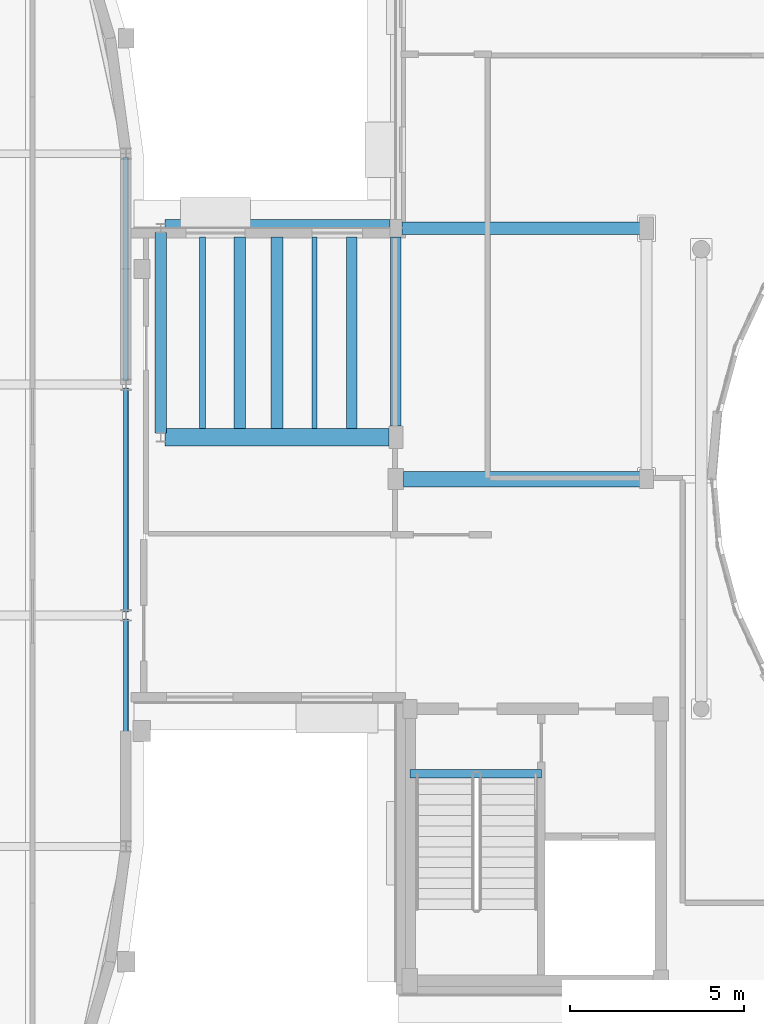
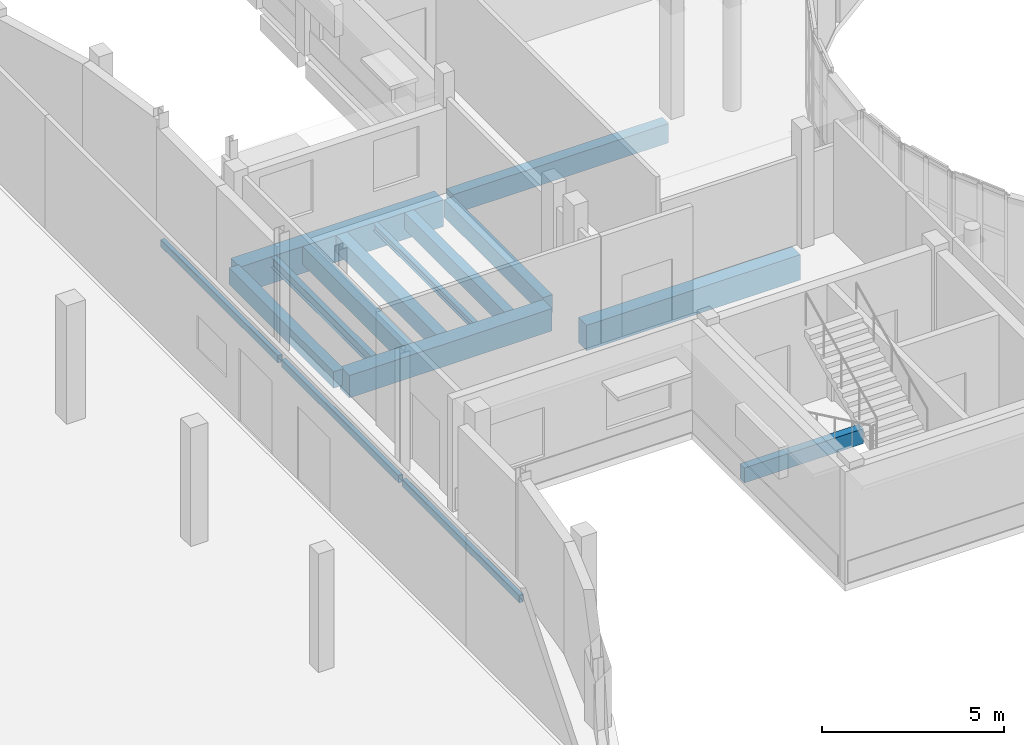
# One storey, part 22 of 105: 15 beams.
"""IFC4 building model written with IfcOpenShell, lengths in metres."""

import ifcopenshell
import ifcopenshell.guid

model = None  # the IFC model being written
_history = None  # IfcOwnerHistory: only IFC2X3 demands one
_inside = {}  # id of a spatial element -> (the spatial element, [elements in it])
_under = {}  # id of a project, library or spatial element -> (it, [spatial elements below it])
_declared = {}  # id of a project -> (the project, [libraries it declares])
_typed = {}  # id of a type object -> (the type object, [elements of that type])
_made_of = {}  # id of a material, layer set ... -> (it, [elements and type objects made of it])


def new_model(schema):
    """Start an empty IFC model of exactly this schema.

    Asked for "IFC4X3", IfcOpenShell would pick the latest addendum, in which some entities
    have other attributes; the version numbers below select the first issue.
    IFC2X3 requires an IfcOwnerHistory on every rooted entity: one is made here for all.
    """
    global model, _history
    if schema == "IFC4X3":
        model = ifcopenshell.file(schema_version=(4, 3, 0, 0))
    else:
        model = ifcopenshell.file(schema=schema)
    _inside.clear()
    _under.clear()
    _declared.clear()
    _typed.clear()
    _made_of.clear()
    _history = None
    if model.schema == "IFC2X3":
        org = make("IfcOrganization", Name="unknown")
        user = make(
            "IfcPersonAndOrganization",
            ThePerson=make("IfcPerson", FamilyName="unknown"),
            TheOrganization=org,
        )
        app = make(
            "IfcApplication",
            ApplicationDeveloper=org,
            Version="unknown",
            ApplicationFullName="unknown",
            ApplicationIdentifier="unknown",
        )
        _history = make(
            "IfcOwnerHistory",
            OwningUser=user,
            OwningApplication=app,
            ChangeAction="ADDED",
            CreationDate=0,
        )
    return model


def make(cls, **values):
    """One entity of the class cls with the attributes given. An attribute that is None is left unset."""
    return model.create_entity(
        cls, **{name: value for name, value in values.items() if value is not None}
    )


def rooted(cls, **values):
    """An entity with a GlobalId (a new one), such as an element, a storey or a relation."""
    return make(cls, GlobalId=ifcopenshell.guid.new(), OwnerHistory=_history, **values)


def si_unit(unit_type, name, prefix=None):
    """IfcSIUnit, for example si_unit("LENGTHUNIT", "METRE", prefix="MILLI")."""
    return make("IfcSIUnit", UnitType=unit_type, Prefix=prefix, Name=name)


def assignment(units):
    """IfcUnitAssignment: the units of a project."""
    return None if units is None else make("IfcUnitAssignment", Units=units)


def point(xyz):
    """IfcCartesianPoint."""
    return None if xyz is None else make("IfcCartesianPoint", Coordinates=xyz)


def direction(xyz):
    """IfcDirection."""
    return None if xyz is None else make("IfcDirection", DirectionRatios=xyz)


def frame(location, z_axis=None, x_axis=None):
    """IfcAxis2Placement3D, a coordinate frame: its origin and axes. An axis left out is left unset."""
    return make(
        "IfcAxis2Placement3D",
        Location=point(location),
        Axis=direction(z_axis),
        RefDirection=direction(x_axis),
    )


def frame_2d(location, x_axis=None):
    """IfcAxis2Placement2D, a coordinate frame in the plane: its origin and x axis."""
    return make(
        "IfcAxis2Placement2D", Location=point(location), RefDirection=direction(x_axis)
    )


def origin():
    """The frame at (0, 0, 0) with its axes left unset."""
    return frame((0.0, 0.0, 0.0))


def origin_2d():
    """The frame at (0, 0) in the plane with its x axis left unset."""
    return frame_2d((0.0, 0.0))


def place(relative_to, where):
    """IfcLocalPlacement: puts the frame where relative to a parent placement (None: the world)."""
    return make(
        "IfcLocalPlacement", PlacementRelTo=relative_to, RelativePlacement=where
    )


def context(
    kind, dimensions, precision=None, world=None, true_north=None, identifier=None
):
    """IfcGeometricRepresentationContext, for example the 3D "Model" context."""
    return make(
        "IfcGeometricRepresentationContext",
        ContextIdentifier=identifier,
        ContextType=kind,
        CoordinateSpaceDimension=dimensions,
        Precision=precision,
        WorldCoordinateSystem=world,
        TrueNorth=true_north,
    )


def subcontext(parent, identifier, kind, view, scale=None):
    """IfcGeometricRepresentationSubContext, for example "Body" below "Model"."""
    return make(
        "IfcGeometricRepresentationSubContext",
        ContextIdentifier=identifier,
        ContextType=kind,
        ParentContext=parent,
        TargetScale=scale,
        TargetView=view,
    )


def project(units=None, contexts=None):
    """IfcProject with its units and contexts."""
    return rooted(
        "IfcProject",
        Name="project",
        RepresentationContexts=contexts,
        UnitsInContext=assignment(units),
    )


def spatial(cls, under=None, at=None, **own):
    """A site, building, storey or space (cls), placed at a placement, below another one or the project."""
    s = rooted(cls, ObjectPlacement=at, **own)
    if under is not None:
        _under.setdefault(under.id(), (under, []))[1].append(s)
    return s


def profile(cls, at=None, kind="AREA", **sizes):
    """A parametric profile (cls). Its sizes go by their IFC names, for example OverallWidth=200.0."""
    return make(cls, ProfileType=kind, Position=at, **sizes)


def rectangle(**sizes):
    """IfcRectangleProfileDef."""
    return profile("IfcRectangleProfileDef", **sizes)


def hollow_rectangle(**sizes):
    """IfcRectangleHollowProfileDef."""
    return profile("IfcRectangleHollowProfileDef", **sizes)


def i_section(**sizes):
    """IfcIShapeProfileDef."""
    return profile("IfcIShapeProfileDef", **sizes)


def extrude(swept, where, along, depth):
    """IfcExtrudedAreaSolid: the profile swept, set in the frame where, extruded along a direction by depth."""
    return make(
        "IfcExtrudedAreaSolid",
        SweptArea=swept,
        Position=where,
        ExtrudedDirection=direction(along),
        Depth=depth,
    )


def shape(context_of_items, identifier, shape_type, items):
    """IfcShapeRepresentation: the items that make up one representation, for example the "Body"."""
    return make(
        "IfcShapeRepresentation",
        ContextOfItems=context_of_items,
        RepresentationIdentifier=identifier,
        RepresentationType=shape_type,
        Items=items,
    )


def material(Name=None, Category=None):
    """IfcMaterial."""
    return make("IfcMaterial", Name=Name, Category=Category)


def material_profile(
    of_material, cross_section, Name=None, Category=None, Priority=None
):
    """IfcMaterialProfile: a cross section and its material."""
    return make(
        "IfcMaterialProfile",
        Name=Name,
        Material=of_material,
        Profile=cross_section,
        Priority=Priority,
        Category=Category,
    )


def profile_set(profiles, Name=None, composite=None):
    """IfcMaterialProfileSet."""
    return make(
        "IfcMaterialProfileSet",
        Name=Name,
        MaterialProfiles=profiles,
        CompositeProfile=composite,
    )


def made_of(thing, what):
    """Note that an element or type object is made of a material, layer set ...; save() writes the relation."""
    if what is not None:
        _made_of.setdefault(what.id(), (what, []))[1].append(thing)
    return thing


def type_object(cls, material=None, **own):
    """A type object (cls), such as IfcWallType, which elements share."""
    return made_of(rooted(cls, **own), material)


def element(
    cls,
    number,
    at=None,
    inside=None,
    cuts=None,
    type_object=None,
    material=None,
    context=None,
    identifier="Body",
    shape_type=None,
    held_by="IfcProductDefinitionShape",
    body=None,
    shapes=None,
    **own,
):
    """One element of the class cls, such as IfcWall. Its Tag is "e" and its number.

    at: its placement. inside: the storey or other place that contains it. cuts: it is an
    opening in that element (IfcRelVoidsElement). A single representation is given by context,
    identifier, shape_type and body (its items); several are given by shapes. held_by: the class
    of the entity that holds the representations. save() writes the other relations.
    """
    e = rooted(cls, Tag="e%d" % number, ObjectPlacement=at, **own)
    if body is not None:
        shapes = [shape(context, identifier, shape_type, body)]
    if shapes is not None:
        e.Representation = make(held_by, Representations=shapes)
    if inside is not None:
        _inside.setdefault(inside.id(), (inside, []))[1].append(e)
    if cuts is not None:
        rooted(
            "IfcRelVoidsElement", RelatingBuildingElement=cuts, RelatedOpeningElement=e
        )
    if type_object is not None:
        _typed.setdefault(type_object.id(), (type_object, []))[1].append(e)
    return made_of(e, material)


def aggregate(whole, parts):
    """IfcRelAggregates: a whole, such as a stair, and the parts it consists of."""
    return rooted("IfcRelAggregates", RelatingObject=whole, RelatedObjects=parts)


def save(model, path):
    """Write the relations noted so far, then the file.

    IfcRelAggregates (storeys below a building ...), IfcRelContainedInSpatialStructure (elements
    in a storey), IfcRelDefinesByType, IfcRelAssociatesMaterial and IfcRelDeclares: one each for
    every whole, place, type object, material and project.
    """
    for whole, parts in _under.values():
        aggregate(whole, parts)
    for where, things in _inside.values():
        rooted(
            "IfcRelContainedInSpatialStructure",
            RelatedElements=things,
            RelatingStructure=where,
        )
    for kind, things in _typed.values():
        rooted("IfcRelDefinesByType", RelatedObjects=things, RelatingType=kind)
    for what, things in _made_of.values():
        rooted("IfcRelAssociatesMaterial", RelatedObjects=things, RelatingMaterial=what)
    for by, libraries in _declared.values():
        rooted("IfcRelDeclares", RelatingContext=by, RelatedDefinitions=libraries)
    model.write(path)


model = new_model("IFC4")

# Units and contexts
model_context = context("Model", 3, precision=1e-05, world=origin(), true_north=direction((0.0, 1.0)))
body_context = subcontext(model_context, "Body", "Model", "MODEL_VIEW")
ifc_project = project(units=[si_unit("LENGTHUNIT", "METRE"), si_unit("AREAUNIT", "SQUARE_METRE"), si_unit("VOLUMEUNIT", "CUBIC_METRE"), si_unit("PLANEANGLEUNIT", "RADIAN"), si_unit("MASSUNIT", "GRAM", prefix="KILO")], contexts=[model_context])

# Site, building, storey
site_placement = place(None, origin())
site = spatial("IfcSite", under=ifc_project, at=site_placement, CompositionType="ELEMENT")
building_placement = place(site_placement, origin())
building = spatial("IfcBuilding", under=site, at=building_placement, Name="Kelanivale Promenade Academy", CompositionType="ELEMENT")
storey_placement = place(building_placement, frame((0.0, 0.0, 4.199951171875)))
storey = spatial("IfcBuildingStorey", under=building, at=storey_placement, Name="L01", CompositionType="ELEMENT", Elevation=4.199951171875)

# Beams
ifc_material_1 = material(Name="Concrete C35/45", Category="concrete")
ifc_material_profile_1 = material_profile(ifc_material_1, rectangle(XDim=0.449951171875, YDim=0.85009765625, at=origin_2d()), Name="RC-BM 450x850")
ifc_profile_set_1 = profile_set([ifc_material_profile_1], Name="Concrete C35/45")
beam_type_1 = type_object("IfcBeamType", Name="BM-05 RC-BM 450x850", PredefinedType="BEAM", material=ifc_profile_set_1)
beam_1_placement = place(storey_placement, frame((43.419921875, 56.800048828125, -0.64501953125), z_axis=(1.0, 0.0, 0.0), x_axis=(0.0, 1.0, 0.0)))
element("IfcBeam", 1, at=beam_1_placement, inside=storey, type_object=beam_type_1, Name="L01 girder BM-05", PredefinedType="BEAM", context=body_context, shape_type="SweptSolid", body=[
    extrude(rectangle(XDim=0.449951171875, YDim=0.85009765625, at=origin_2d()), origin(), (0.0, 0.0, 1.0), 6.78515625),
])
ifc_material_profile_2 = material_profile(ifc_material_1, rectangle(XDim=0.5, YDim=0.75, at=origin_2d()), Name="RC-BM 500x750")
ifc_profile_set_2 = profile_set([ifc_material_profile_2], Name="Concrete C35/45")
beam_type_2 = type_object("IfcBeamType", Name="BM-06 RC-BM 500x750", PredefinedType="BEAM", material=ifc_profile_set_2)
beam_2_placement = place(storey_placement, frame((36.572021484375, 58.0, -0.594970703125), z_axis=(1.0, 0.0, 0.0), x_axis=(0.0, 1.0, 0.0)))
element("IfcBeam", 2, at=beam_2_placement, inside=storey, type_object=beam_type_2, Name="L01 girder BM-06", PredefinedType="BEAM", context=body_context, shape_type="SweptSolid", body=[
    extrude(rectangle(XDim=0.5, YDim=0.75, at=origin_2d()), origin(), (0.0, 0.0, 1.0), 6.432861328125),
])
ifc_material_profile_3 = material_profile(ifc_material_1, rectangle(XDim=0.5, YDim=0.89990234375, at=origin_2d()), Name="RC-BM 500x900")
ifc_profile_set_3 = profile_set([ifc_material_profile_3], Name="Concrete C35/45")
beam_type_3 = type_object("IfcBeamType", Name="BM-08 RC-BM 500x900", PredefinedType="BEAM", material=ifc_profile_set_3)
beam_3_placement = place(storey_placement, frame((36.572021484375, 64.0, -0.669921875), z_axis=(1.0, 0.0, 0.0), x_axis=(0.0, 1.0, 0.0)))
element("IfcBeam", 3, at=beam_3_placement, inside=storey, type_object=beam_type_3, Name="L01 girder BM-08", PredefinedType="BEAM", context=body_context, shape_type="SweptSolid", body=[
    extrude(rectangle(XDim=0.5, YDim=0.89990234375, at=origin_2d()), origin(), (0.0, 0.0, 1.0), 6.4580078125),
])
ifc_material_profile_4 = material_profile(ifc_material_1, rectangle(XDim=0.35009765625, YDim=0.64990234375, at=origin_2d()), Name="RC-BM 350x650")
ifc_profile_set_4 = profile_set([ifc_material_profile_4], Name="Concrete C35/45")
beam_type_4 = type_object("IfcBeamType", Name="BM-10 RC-BM 350x650", PredefinedType="BEAM", material=ifc_profile_set_4)
beam_4_placement = place(storey_placement, frame((43.3701171875, 64.0, -0.544921875), z_axis=(1.0, 0.0, 0.0), x_axis=(0.0, 1.0, 0.0)))
element("IfcBeam", 4, at=beam_4_placement, inside=storey, type_object=beam_type_4, Name="L01 girder BM-10", PredefinedType="BEAM", context=body_context, shape_type="SweptSolid", body=[
    extrude(rectangle(XDim=0.35009765625, YDim=0.64990234375, at=origin_2d()), origin(), (0.0, 0.0, 1.0), 6.8349609375),
])
ifc_material_profile_5 = material_profile(ifc_material_1, rectangle(XDim=0.300048828125, YDim=0.550048828125, at=origin_2d()), Name="RC-BM 300x550")
ifc_profile_set_5 = profile_set([ifc_material_profile_5], Name="Concrete C35/45")
beam_type_5 = type_object("IfcBeamType", Name="JS-02 RC-BM 300x550", PredefinedType="JOIST", material=ifc_profile_set_5)
beam_5_placement = place(storey_placement, frame((41.93310546875, 58.25, -0.494873046875), z_axis=(0.0, 1.0, 0.0), x_axis=(-1.0, 0.0, 0.0)))
element("IfcBeam", 5, at=beam_5_placement, inside=storey, type_object=beam_type_5, Name="L01 secondary sub-beam JS-02", PredefinedType="JOIST", context=body_context, shape_type="SweptSolid", body=[
    extrude(rectangle(XDim=0.300048828125, YDim=0.550048828125, at=origin_2d()), origin(), (0.0, 0.0, 1.0), 5.5),
])
ifc_material_profile_6 = material_profile(ifc_material_1, rectangle(XDim=0.300048828125, YDim=0.60009765625, at=origin_2d()), Name="RC-BM 300x600")
ifc_profile_set_6 = profile_set([ifc_material_profile_6], Name="Concrete C35/45")
beam_type_6 = type_object("IfcBeamType", Name="JS-03 RC-BM 300x600", PredefinedType="JOIST", material=ifc_profile_set_6)
beam_6_placement = place(storey_placement, frame((43.199951171875, 58.320068359375, -0.52001953125), z_axis=(0.0, 1.0, 0.0), x_axis=(-1.0, 0.0, 0.0)))
element("IfcBeam", 6, at=beam_6_placement, inside=storey, type_object=beam_type_6, Name="L01 beam JS-03", PredefinedType="JOIST", context=body_context, shape_type="SweptSolid", body=[
    extrude(rectangle(XDim=0.300048828125, YDim=0.60009765625, at=origin_2d()), origin(), (0.0, 0.0, 1.0), 5.434814453125),
])
ifc_material_profile_7 = material_profile(ifc_material_1, rectangle(XDim=0.320068359375, YDim=0.550048828125, at=origin_2d()), Name="RC-BM 320x550")
ifc_profile_set_7 = profile_set([ifc_material_profile_7], Name="Concrete C35/45")
beam_type_7 = type_object("IfcBeamType", Name="JS-04 RC-BM 320x550", PredefinedType="JOIST", material=ifc_profile_set_7)
beam_7_placement = place(storey_placement, frame((36.449951171875, 58.1220703125, -0.494873046875), z_axis=(0.0, 1.0, 0.0), x_axis=(-1.0, 0.0, 0.0)))
element("IfcBeam", 7, at=beam_7_placement, inside=storey, type_object=beam_type_7, Name="L01 beam JS-04", PredefinedType="JOIST", context=body_context, shape_type="SweptSolid", body=[
    extrude(rectangle(XDim=0.320068359375, YDim=0.550048828125, at=origin_2d()), origin(), (0.0, 0.0, 1.0), 5.755859375),
])
ifc_material_profile_8 = material_profile(ifc_material_1, rectangle(XDim=0.320068359375, YDim=0.60009765625, at=origin_2d()), Name="RC-BM 320x600")
ifc_profile_set_8 = profile_set([ifc_material_profile_8], Name="Concrete C35/45")
beam_type_8 = type_object("IfcBeamType", Name="JS-05 RC-BM 320x600", PredefinedType="JOIST", material=ifc_profile_set_8)
beam_8_placement = place(storey_placement, frame((38.716064453125, 58.25, -0.52001953125), z_axis=(0.0, 1.0, 0.0), x_axis=(-1.0, 0.0, 0.0)))
element("IfcBeam", 8, at=beam_8_placement, inside=storey, type_object=beam_type_8, Name="L01 secondary sub-beam JS-05", PredefinedType="JOIST", context=body_context, shape_type="SweptSolid", body=[
    extrude(rectangle(XDim=0.320068359375, YDim=0.60009765625, at=origin_2d()), origin(), (0.0, 0.0, 1.0), 5.5),
])
ifc_material_profile_9 = material_profile(ifc_material_1, rectangle(XDim=0.35009765625, YDim=0.550048828125, at=origin_2d()), Name="RC-BM 350x550")
ifc_profile_set_9 = profile_set([ifc_material_profile_9], Name="Concrete C35/45")
beam_type_9 = type_object("IfcBeamType", Name="JS-06 RC-BM 350x550", PredefinedType="JOIST", material=ifc_profile_set_9)
beam_9_placement = place(storey_placement, frame((39.7880859375, 58.25, -0.494873046875), z_axis=(0.0, 1.0, 0.0), x_axis=(-1.0, 0.0, 0.0)))
element("IfcBeam", 9, at=beam_9_placement, inside=storey, type_object=beam_type_9, Name="L01 secondary sub-beam JS-06", PredefinedType="JOIST", context=body_context, shape_type="SweptSolid", body=[
    extrude(rectangle(XDim=0.35009765625, YDim=0.550048828125, at=origin_2d()), origin(), (0.0, 0.0, 1.0), 5.5),
])
ifc_material_profile_10 = material_profile(ifc_material_1, rectangle(XDim=0.25, YDim=0.5, at=origin_2d()), Name="RC-BM 250x500")
ifc_profile_set_10 = profile_set([ifc_material_profile_10], Name="Concrete C35/45")
beam_type_10 = type_object("IfcBeamType", Name="LN-02 RC-BM 250x500", PredefinedType="LINTEL", material=ifc_profile_set_10)
beam_10_placement = place(storey_placement, frame((43.60009765625, 48.344970703125, -0.25), z_axis=(1.0, 0.0, 0.0), x_axis=(0.0, 1.0, 0.0)))
element("IfcBeam", 10, at=beam_10_placement, inside=storey, type_object=beam_type_10, Name="CORE-6 stair arrival trimmer beam L01", PredefinedType="LINTEL", context=body_context, shape_type="SweptSolid", body=[
    extrude(rectangle(XDim=0.25, YDim=0.5, at=origin_2d()), origin(), (0.0, 0.0, 1.0), 3.77490234375),
])
ifc_material_2 = material(Name="Steel S355", Category="steel")
ifc_material_profile_11 = material_profile(ifc_material_2, i_section(OverallWidth=0.14599609375, OverallDepth=0.25146484375, WebThickness=0.006103515625, FlangeThickness=0.008544921875, FilletRadius=0.007568359375, at=origin_2d()), Name="UB 254x146x31")
ifc_profile_set_11 = profile_set([ifc_material_profile_11], Name="Steel S355")
beam_type_11 = type_object("IfcBeamType", Name="SB-02 UB 254x146x31", PredefinedType="JOIST", material=ifc_profile_set_11)
beam_11_placement = place(storey_placement, frame((40.861083984375, 58.25, -0.345947265625), z_axis=(0.0, 1.0, 0.0), x_axis=(-1.0, 0.0, 0.0)))
element("IfcBeam", 11, at=beam_11_placement, inside=storey, type_object=beam_type_11, Name="L01 secondary sub-beam SB-02", PredefinedType="JOIST", context=body_context, shape_type="SweptSolid", body=[
    extrude(i_section(OverallWidth=0.14599609375, OverallDepth=0.25146484375, WebThickness=0.006103515625, FlangeThickness=0.008544921875, FilletRadius=0.007568359375, at=origin_2d()), origin(), (0.0, 0.0, 1.0), 5.5),
])
ifc_material_profile_12 = material_profile(ifc_material_2, i_section(OverallWidth=0.17138671875, OverallDepth=0.35498046875, WebThickness=0.00732421875, FlangeThickness=0.011474609375, FilletRadius=0.01025390625, at=origin_2d()), Name="UB 356x171x51")
ifc_profile_set_12 = profile_set([ifc_material_profile_12], Name="Steel S355")
beam_type_12 = type_object("IfcBeamType", Name="SB-04 UB 356x171x51", PredefinedType="BEAM", material=ifc_profile_set_12)
beam_12_placement = place(storey_placement, frame((37.64404296875, 58.25, -0.39697265625), z_axis=(0.0, 1.0, 0.0), x_axis=(-1.0, 0.0, 0.0)))
element("IfcBeam", 12, at=beam_12_placement, inside=storey, type_object=beam_type_12, Name="L01 secondary sub-beam SB-04", PredefinedType="BEAM", context=body_context, shape_type="SweptSolid", body=[
    extrude(i_section(OverallWidth=0.17138671875, OverallDepth=0.35498046875, WebThickness=0.00732421875, FlangeThickness=0.011474609375, FilletRadius=0.01025390625, at=origin_2d()), origin(), (0.0, 0.0, 1.0), 5.5),
])
ifc_material_profile_13 = material_profile(ifc_material_2, hollow_rectangle(XDim=0.14990234375, YDim=0.25, WallThickness=0.010009765625, InnerFilletRadius=0.010009765625, OuterFilletRadius=0.02001953125, at=origin_2d()), Name="RHS 250x150x10.0")
ifc_profile_set_13 = profile_set([ifc_material_profile_13], Name="Steel S355")
beam_type_13 = type_object("IfcBeamType", Name="SB-13 RHS 250x150x10.0", PredefinedType="SPANDREL", material=ifc_profile_set_13)
beam_13_placement = place(storey_placement, frame((35.449951171875, 46.35693359375, -0.389892578125), z_axis=(0.0, 1.0, 0.0), x_axis=(-1.0, 0.0, 0.0)))
element("IfcBeam", 13, at=beam_13_placement, inside=storey, type_object=beam_type_13, Name="Sports Hall Crescent Pavilion inner kidney ring beam SB-13", PredefinedType="SPANDREL", context=body_context, shape_type="SweptSolid", body=[
    extrude(hollow_rectangle(XDim=0.14990234375, YDim=0.25, WallThickness=0.010009765625, InnerFilletRadius=0.010009765625, OuterFilletRadius=0.02001953125, at=origin_2d()), origin(), (0.0, 0.0, 1.0), 6.428955078125),
])
beam_14_placement = place(storey_placement, frame((35.449951171875, 52.986083984375, -0.389892578125), z_axis=(0.0, 1.0, 0.0), x_axis=(-1.0, 0.0, 0.0)))
element("IfcBeam", 14, at=beam_14_placement, inside=storey, type_object=beam_type_13, Name="Sports Hall Crescent Pavilion inner kidney ring beam SB-13", PredefinedType="SPANDREL", context=body_context, shape_type="SweptSolid", body=[
    extrude(hollow_rectangle(XDim=0.14990234375, YDim=0.25, WallThickness=0.010009765625, InnerFilletRadius=0.010009765625, OuterFilletRadius=0.02001953125, at=origin_2d()), origin(), (0.0, 0.0, 1.0), 6.427978515625),
])
beam_15_placement = place(storey_placement, frame((35.449951171875, 59.614013671875, -0.389892578125), z_axis=(0.0, 1.0, 0.0), x_axis=(-1.0, 0.0, 0.0)))
element("IfcBeam", 15, at=beam_15_placement, inside=storey, type_object=beam_type_13, Name="Sports Hall Crescent Pavilion inner kidney ring beam SB-13", PredefinedType="SPANDREL", context=body_context, shape_type="SweptSolid", body=[
    extrude(hollow_rectangle(XDim=0.14990234375, YDim=0.25, WallThickness=0.010009765625, InnerFilletRadius=0.010009765625, OuterFilletRadius=0.02001953125, at=origin_2d()), origin(), (0.0, 0.0, 1.0), 6.428955078125),
])

save(model, "model.ifc")
